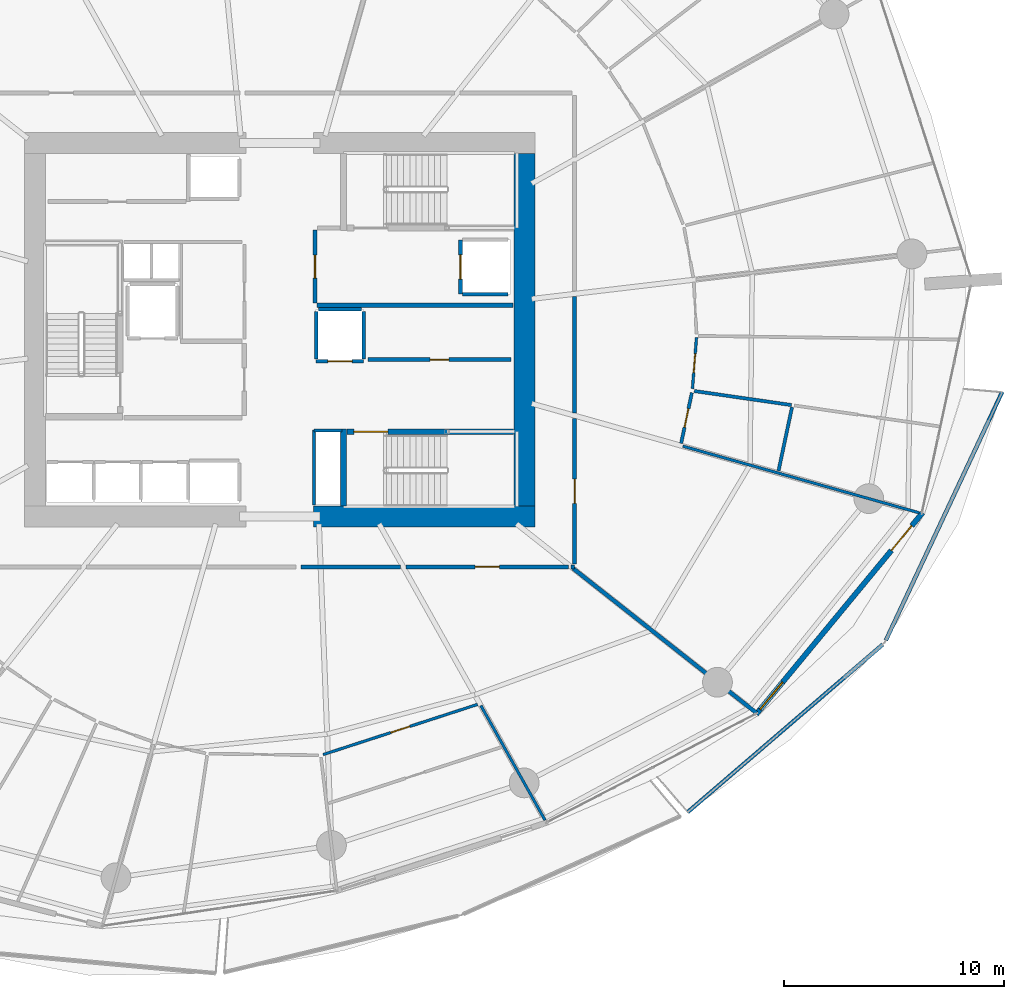
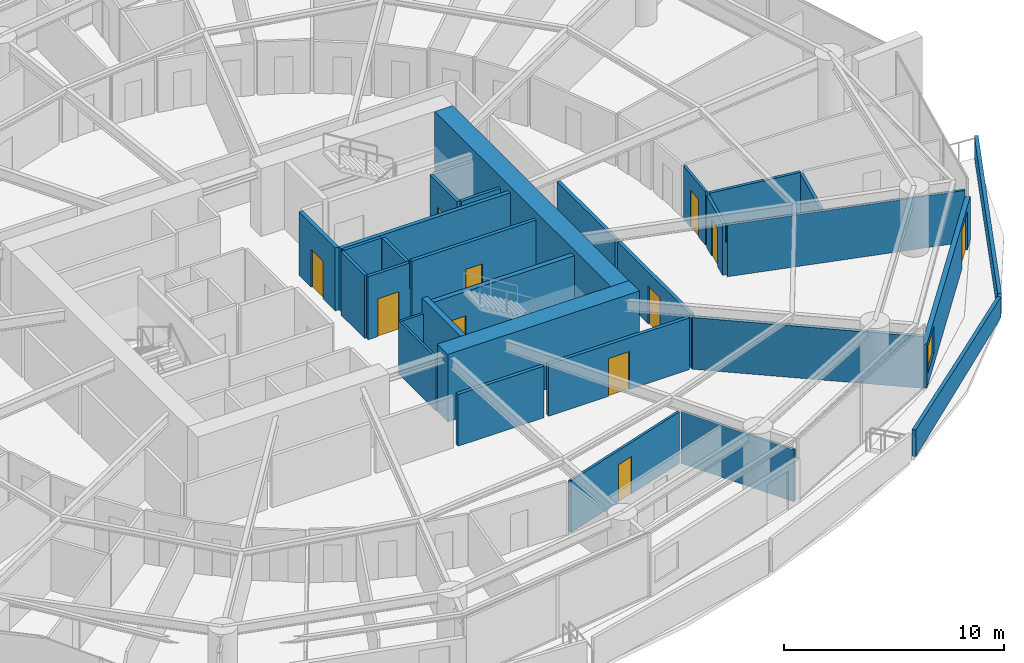
# One storey, part 21 of 31: 31 walls, 11 doors, 1 window, 12 openings.
"""IFC4 building model written with IfcOpenShell, lengths in metres."""

from ifc_helpers import new_model, si_unit, direction, frame, frame_2d, origin, place, context, subcontext, project, spatial, polyline, rectangle, outline, extrude, material, layer, layer_set, type_object, element, fill, save


model = new_model("IFC4")

# Units and contexts
model_context = context("Model", 3, precision=1e-05, world=origin(), true_north=direction((0.0, 1.0)))
body_context = subcontext(model_context, "Body", "Model", "MODEL_VIEW")
ifc_project = project(units=[si_unit("LENGTHUNIT", "METRE"), si_unit("AREAUNIT", "SQUARE_METRE"), si_unit("VOLUMEUNIT", "CUBIC_METRE"), si_unit("PLANEANGLEUNIT", "RADIAN"), si_unit("MASSUNIT", "GRAM", prefix="KILO")], contexts=[model_context])

# Site, building, storey
site_placement = place(None, origin())
site = spatial("IfcSite", under=ifc_project, at=site_placement, CompositionType="ELEMENT")
building_placement = place(site_placement, origin())
building = spatial("IfcBuilding", under=site, at=building_placement, Name="Kazma Halo Residences", CompositionType="ELEMENT")
storey_placement = place(building_placement, frame((0.0, 0.0, 45.14990234375)))
storey = spatial("IfcBuildingStorey", under=building, at=storey_placement, Name="L10", CompositionType="ELEMENT", Elevation=45.14990234375)

# Walls
ifc_material_1 = material(Name="White Concrete C50/60 Balustrade", Category="concrete")
ifc_layer_1 = layer(ifc_material_1, 0.179931640625)
ifc_layer_set_1 = layer_set([ifc_layer_1], Name="White Concrete C50/60 Balustrade")
wall_type_1 = type_object("IfcWallType", Name="WL-BAL-WAVE-180", PredefinedType="PARAPET", material=ifc_layer_set_1)
wall_1_placement = place(storey_placement, frame((66.92041015625, 20.118896484375, 0.0), z_axis=(0.0, 0.0, 1.0), x_axis=(0.758371329303, 0.651822772609, 0.0)))
element("IfcWall", 1, at=wall_1_placement, inside=storey, type_object=wall_type_1, Name="L10 white wave balustrade wall SE.1", PredefinedType="PARAPET", context=body_context, shape_type="SweptSolid", body=[
    extrude(outline(polyline([(0.0, 0.0), (11.669921875, 0.0), (11.669677734375, 1.148193359375), (5.8349609375, 1.2841796875), (0.0, 1.483154296875), (0.0, 0.0)])), frame((0.0, 0.08984375, 0.0), z_axis=(0.0, -1.0, 0.0), x_axis=(1.0, 0.0, 0.0)), (0.0, 0.0, 1.0), 0.179931640625),
])
wall_2_placement = place(storey_placement, frame((75.912353515625, 27.91259765625, 0.0), z_axis=(0.0, 0.0, 1.0), x_axis=(0.424187605295, 0.905574334615, 0.0)))
element("IfcWall", 2, at=wall_2_placement, inside=storey, type_object=wall_type_1, Name="L10 white wave balustrade wall SE.2", PredefinedType="PARAPET", context=body_context, shape_type="SweptSolid", body=[
    extrude(outline(polyline([(0.0, 0.0), (12.4462890625, 0.0), (12.4462890625, 1.22412109375), (6.22314453125, 1.127197265625), (0.0, 1.148193359375), (0.0, 0.0)])), frame((0.0, 0.08984375, 0.0), z_axis=(0.0, -1.0, 0.0), x_axis=(1.0, 0.0, 0.0)), (0.0, 0.0, 1.0), 0.179931640625),
])
ifc_material_2 = material(Name="Concrete C80/95", Category="concrete")
ifc_layer_2 = layer(ifc_material_2, 0.949951171875)
ifc_layer_set_2 = layer_set([ifc_layer_2], Name="Concrete C80/95")
wall_type_2 = type_object("IfcWallType", Name="WL-CORE-950", PredefinedType="SHEAR", material=ifc_layer_set_2)
wall_3_placement = place(storey_placement, frame((49.949951171875, 33.52490234375, 0.0), z_axis=(0.0, 0.0, 1.0), x_axis=(1.0, 0.0, 0.0)))
element("IfcWall", 3, at=wall_3_placement, inside=storey, type_object=wall_type_2, Name="L10 central core shear wall SE", PredefinedType="SHEAR", context=body_context, shape_type="SweptSolid", body=[
    extrude(rectangle(XDim=10.050048828125, YDim=0.949951171875, at=frame_2d((5.02490234375, 0.0))), origin(), (0.0, 0.0, 1.0), 3.75),
])
wall_4_placement = place(storey_placement, frame((59.52490234375, 34.0, 0.0), z_axis=(0.0, 0.0, 1.0), x_axis=(0.0, 1.0, 0.0)))
element("IfcWall", 4, at=wall_4_placement, inside=storey, type_object=wall_type_2, Name="L10 central core shear wall E", PredefinedType="SHEAR", context=body_context, shape_type="SweptSolid", body=[
    extrude(rectangle(XDim=16.0, YDim=0.949951171875, at=frame_2d((8.0, 0.0))), origin(), (0.0, 0.0, 1.0), 3.75),
])
ifc_material_3 = material(Name="Concrete C60/75", Category="concrete")
ifc_layer_3 = layer(ifc_material_3, 0.280029296875)
ifc_layer_set_3 = layer_set([ifc_layer_3], Name="Concrete C60/75")
wall_type_3 = type_object("IfcWallType", Name="WL-CORE-ST-280", PredefinedType="SHEAR", material=ifc_layer_set_3)
wall_5_placement = place(storey_placement, frame((51.31005859375, 34.0, 0.0), z_axis=(0.0, 0.0, 1.0), x_axis=(0.0, 1.0, 0.0)))
element("IfcWall", 5, at=wall_5_placement, inside=storey, type_object=wall_type_3, Name="L10 stairwell bearing wall ST03-W", PredefinedType="SHEAR", context=body_context, shape_type="SweptSolid", body=[
    extrude(rectangle(XDim=3.5, YDim=0.280029296875, at=frame_2d((1.75, 0.0))), origin(), (0.0, 0.0, 1.0), 3.75),
])
ifc_material_4 = material(Name="Acoustic Twin-Stud Gypsum")
ifc_layer_4 = layer(ifc_material_4, 0.179931640625)
ifc_layer_set_4 = layer_set([ifc_layer_4], Name="Acoustic Twin-Stud Gypsum")
wall_type_4 = type_object("IfcWallType", Name="WL-DEM-180", PredefinedType="PARTITIONING", material=ifc_layer_set_4)
wall_6_placement = place(storey_placement, frame((61.72265625, 31.181884765625, 0.0), z_axis=(0.0, 0.0, 1.0), x_axis=(0.785321288316, -0.619088421889, 0.0)))
element("IfcWall", 6, at=wall_6_placement, inside=storey, type_object=wall_type_4, Name="L10 apartment demising radial wall 13", PredefinedType="PARTITIONING", context=body_context, shape_type="SweptSolid", body=[
    extrude(rectangle(XDim=10.597900390625, YDim=0.179931640625, at=frame_2d((5.298828125, 0.0))), origin(), (0.0, 0.0, 1.0), 2.8671875),
])

# Wall, opening, door
wall_7_placement = place(storey_placement, frame((54.140380859375, 31.25, 0.0), z_axis=(0.0, 0.0, 1.0), x_axis=(1.0, 0.0, 0.0)))
wall_7 = element("IfcWall", 7, at=wall_7_placement, inside=storey, type_object=wall_type_4, Name="L10 Apartment 2 entrance corridor wall", PredefinedType="PARTITIONING", context=body_context, shape_type="SweptSolid", body=[
    extrude(rectangle(XDim=7.3759765625, YDim=0.179931640625, at=frame_2d((3.68798828125, 0.0))), origin(), (0.0, 0.0, 1.0), 2.8671875),
])
opening_1_placement = place(wall_7_placement, frame((3.137939453125, 0.0, 0.0)))
opening_1 = element("IfcOpeningElement", 8, at=opening_1_placement, cuts=wall_7, Name="Opening DA-1100", PredefinedType="OPENING", context=body_context, shape_type="SweptSolid", body=[
    extrude(rectangle(XDim=1.10009765625, YDim=2.10009765625, at=frame_2d((0.550048828125, 1.050048828125))), frame((0.0, 0.099853515625, 0.0), z_axis=(0.0, -1.0, 0.0), x_axis=(1.0, 0.0, 0.0)), (0.0, 0.0, 1.0), 0.199951171875),
])
ifc_material_5 = material(Name="Acoustic Walnut Fire Leaf")
door_type_1 = type_object("IfcDoorType", Name="DR-FD60-1100", OperationType="NOTDEFINED", PredefinedType="DOOR", material=ifc_material_5)
door_1_placement = place(opening_1_placement, origin())
door_1 = element("IfcDoor", 9, at=door_1_placement, inside=storey, type_object=door_type_1, Name="L10 Apartment 2 entrance fire door", OperationType="SINGLE_SWING_LEFT", OverallHeight=2.10009765625, OverallWidth=1.10009765625, PredefinedType="DOOR", context=body_context, shape_type="SweptSolid", body=[
    extrude(rectangle(XDim=1.10009765625, YDim=2.10009765625, at=frame_2d((0.550048828125, 1.050048828125))), frame((0.0, 0.02490234375, 0.0), z_axis=(0.0, -1.0, 0.0), x_axis=(1.0, 0.0, 0.0)), (0.0, 0.0, 1.0), 0.050048828125),
])
fill(opening_1, door_1)

# Walls
wall_8_placement = place(storey_placement, frame((49.392333984375, 31.25, 0.0), z_axis=(0.0, 0.0, 1.0), x_axis=(1.0, 0.0, 0.0)))
element("IfcWall", 10, at=wall_8_placement, inside=storey, type_object=wall_type_4, Name="L10 Apartment 2 inner wall 11", PredefinedType="PARTITIONING", context=body_context, shape_type="SweptSolid", body=[
    extrude(rectangle(XDim=4.508056640625, YDim=0.179931640625, at=frame_2d((2.25390625, 0.0))), origin(), (0.0, 0.0, 1.0), 2.8671875),
])
wall_9_placement = place(storey_placement, frame((61.63623046875, 31.25, 0.0), z_axis=(0.0, 0.0, 1.0), x_axis=(1.0, 0.0, 0.0)))
element("IfcWall", 11, at=wall_9_placement, inside=storey, type_object=wall_type_4, Name="L10 Apartment 3 entrance corridor wall", PredefinedType="PARTITIONING", context=body_context, shape_type="SweptSolid", body=[
    extrude(rectangle(XDim=0.163818359375, YDim=0.179931640625, at=frame_2d((0.08203125, 0.0))), origin(), (0.0, 0.0, 1.0), 2.8671875),
])

# Wall, opening, door
wall_10_placement = place(storey_placement, frame((61.800048828125, 31.3701171875, 0.0), z_axis=(0.0, 0.0, 1.0), x_axis=(0.0, 1.0, 0.0)))
wall_10 = element("IfcWall", 12, at=wall_10_placement, inside=storey, type_object=wall_type_4, Name="L10 Apartment 3 entrance corridor wall", PredefinedType="PARTITIONING", context=body_context, shape_type="SweptSolid", body=[
    extrude(rectangle(XDim=6.617919921875, YDim=0.179931640625, at=frame_2d((3.30908203125, 0.0))), origin(), (0.0, 0.0, 1.0), 2.8671875),
])
opening_2_placement = place(wall_10_placement, frame((2.759033203125, 0.0, 0.0)))
opening_2 = element("IfcOpeningElement", 13, at=opening_2_placement, cuts=wall_10, Name="Opening DA-1100", PredefinedType="OPENING", context=body_context, shape_type="SweptSolid", body=[
    extrude(rectangle(XDim=1.10009765625, YDim=2.10009765625, at=frame_2d((0.550048828125, 1.050048828125))), frame((0.0, 0.099853515625, 0.0), z_axis=(0.0, -1.0, 0.0), x_axis=(1.0, 0.0, 0.0)), (0.0, 0.0, 1.0), 0.199951171875),
])
door_2_placement = place(opening_2_placement, origin())
door_2 = element("IfcDoor", 14, at=door_2_placement, inside=storey, type_object=door_type_1, Name="L10 Apartment 3 entrance fire door", OperationType="SINGLE_SWING_RIGHT", OverallHeight=2.10009765625, OverallWidth=1.10009765625, PredefinedType="DOOR", context=body_context, shape_type="SweptSolid", body=[
    extrude(rectangle(XDim=1.10009765625, YDim=2.10009765625, at=frame_2d((0.550048828125, 1.050048828125))), frame((0.0, 0.02490234375, 0.0), z_axis=(0.0, -1.0, 0.0), x_axis=(1.0, 0.0, 0.0)), (0.0, 0.0, 1.0), 0.050048828125),
])
fill(opening_2, door_2)

# Wall
wall_11_placement = place(storey_placement, frame((61.800048828125, 38.22802734375, 0.0), z_axis=(0.0, 0.0, 1.0), x_axis=(0.0, 1.0, 0.0)))
element("IfcWall", 15, at=wall_11_placement, inside=storey, type_object=wall_type_4, Name="L10 Apartment 3 inner wall 14", PredefinedType="PARTITIONING", context=body_context, shape_type="SweptSolid", body=[
    extrude(rectangle(XDim=5.28515625, YDim=0.179931640625, at=frame_2d((2.642578125, 0.0))), origin(), (0.0, 0.0, 1.0), 2.8671875),
])

# Wall, openings, door, window
ifc_material_6 = material(Name="Insulated Pale-Metal Composite Wall")
ifc_layer_5 = layer(ifc_material_6, 0.239990234375)
ifc_layer_set_5 = layer_set([ifc_layer_5], Name="Insulated Pale-Metal Composite Wall")
wall_type_5 = type_object("IfcWallType", Name="WL-EXT-HOST-240", PredefinedType="SOLIDWALL", material=ifc_layer_set_5)
wall_12_placement = place(storey_placement, frame((70.033203125, 24.566650390625, 0.0), z_axis=(0.0, 0.0, 1.0), x_axis=(0.636674332663, 0.771132799281, 0.0)))
wall_12 = element("IfcWall", 16, at=wall_12_placement, inside=storey, type_object=wall_type_5, Name="L10 exterior terrace-access wall B14", PredefinedType="SOLIDWALL", context=body_context, shape_type="SweptSolid", body=[
    extrude(rectangle(XDim=11.851318359375, YDim=0.239990234375, at=frame_2d((5.92578125, 0.0))), origin(), (0.0, 0.0, 1.0), 2.4501953125),
])
opening_3_placement = place(wall_12_placement, frame((9.631103515625, 0.0, 0.0)))
opening_3 = element("IfcOpeningElement", 17, at=opening_3_placement, cuts=wall_12, Name="Opening DTR-1600", PredefinedType="OPENING", context=body_context, shape_type="SweptSolid", body=[
    extrude(rectangle(XDim=1.449951171875, YDim=2.14990234375, at=frame_2d((0.72509765625, 1.074951171875))), frame((0.0, 0.1298828125, 0.0), z_axis=(0.0, -1.0, 0.0), x_axis=(1.0, 0.0, 0.0)), (0.0, 0.0, 1.0), 0.260009765625),
])
opening_4_placement = place(wall_12_placement, frame((0.280029296875, 0.0, 0.64990234375)))
opening_4 = element("IfcOpeningElement", 18, at=opening_4_placement, cuts=wall_12, Name="Opening W-1800", PredefinedType="OPENING", context=body_context, shape_type="SweptSolid", body=[
    extrude(rectangle(XDim=1.60009765625, YDim=1.5, at=frame_2d((0.800048828125, 0.75))), frame((0.0, 0.1298828125, 0.0), z_axis=(0.0, -1.0, 0.0), x_axis=(1.0, 0.0, 0.0)), (0.0, 0.0, 1.0), 0.260009765625),
])
ifc_material_7 = material(Name="Aluminium AW-6063 T6 Double-Glazed Terrace Door", Category="aluminium")
door_type_2 = type_object("IfcDoorType", Name="DR-EXT-TERR-1600", OperationType="NOTDEFINED", PredefinedType="DOOR", material=ifc_material_7)
door_3_placement = place(opening_3_placement, origin())
door_3 = element("IfcDoor", 19, at=door_3_placement, inside=storey, type_object=door_type_2, Name="L10 B14 balcony terrace door", OperationType="DOUBLE_DOOR_SLIDING", OverallHeight=2.14990234375, OverallWidth=1.449951171875, PredefinedType="DOOR", context=body_context, shape_type="SweptSolid", body=[
    extrude(rectangle(XDim=1.449951171875, YDim=2.14990234375, at=frame_2d((0.72509765625, 1.074951171875))), frame((0.0, 0.02490234375, 0.0), z_axis=(0.0, -1.0, 0.0), x_axis=(1.0, 0.0, 0.0)), (0.0, 0.0, 1.0), 0.050048828125),
])
fill(opening_3, door_3)
ifc_material_8 = material(Name="Clear Triple-Silver Low-E Glass in Aluminium AW-6063 T6 Frame", Category="aluminium")
window_type = type_object("IfcWindowType", Name="WIN-RES-1800", PartitioningType="DOUBLE_PANEL_VERTICAL", PredefinedType="WINDOW", material=ifc_material_8)
window_placement = place(opening_4_placement, origin())
window = element("IfcWindow", 20, at=window_placement, inside=storey, type_object=window_type, Name="L10 B14 apartment window", OverallHeight=1.5, OverallWidth=1.60009765625, PartitioningType="SINGLE_PANEL", PredefinedType="WINDOW", context=body_context, shape_type="SweptSolid", body=[
    extrude(rectangle(XDim=1.60009765625, YDim=1.5, at=frame_2d((0.800048828125, 0.75))), frame((0.0, 0.030029296875, 0.0), z_axis=(0.0, -1.0, 0.0), x_axis=(1.0, 0.0, 0.0)), (0.0, 0.0, 1.0), 0.06005859375),
])
fill(opening_4, window)

# Wall, opening, door
ifc_material_9 = material(Name="Fire-Rated Blockwork Masonry", Category="masonry")
ifc_layer_6 = layer(ifc_material_9, 0.199951171875)
ifc_layer_set_6 = layer_set([ifc_layer_6], Name="Fire-Rated Blockwork Masonry")
wall_type_6 = type_object("IfcWallType", Name="WL-FLB-200", PredefinedType="PARTITIONING", material=ifc_layer_set_6)
wall_13_placement = place(storey_placement, frame((56.6201171875, 46.080078125, 0.0), z_axis=(0.0, 0.0, 1.0), x_axis=(0.0, -1.0, 0.0)))
wall_13 = element("IfcWall", 21, at=wall_13_placement, inside=storey, type_object=wall_type_6, Name="L10 lift shaft FL-02 front wall", PredefinedType="PARTITIONING", context=body_context, shape_type="SweptSolid", body=[
    extrude(rectangle(XDim=2.4599609375, YDim=0.159912109375, at=frame_2d((1.22998046875, 0.0))), origin(), (0.0, 0.0, 1.0), 3.5),
])
opening_5_placement = place(wall_13_placement, frame((0.679931640625, 0.0, 0.0)))
opening_5 = element("IfcOpeningElement", 22, at=opening_5_placement, cuts=wall_13, Name="Opening LD-FL-02", PredefinedType="OPENING", context=body_context, shape_type="SweptSolid", body=[
    extrude(rectangle(XDim=1.10009765625, YDim=2.10009765625, at=frame_2d((0.550048828125, 1.050048828125))), frame((0.0, 0.08984375, 0.0), z_axis=(0.0, -1.0, 0.0), x_axis=(1.0, 0.0, 0.0)), (0.0, 0.0, 1.0), 0.179931640625),
])
ifc_material_10 = material(Name="Stainless Steel Fire-Rated", Category="steel")
door_type_3 = type_object("IfcDoorType", Name="DR-LIFT-SLD-1100", OperationType="DOUBLE_DOOR_SLIDING", PredefinedType="DOOR", material=ifc_material_10)
door_4_placement = place(opening_5_placement, origin())
door_4 = element("IfcDoor", 23, at=door_4_placement, inside=storey, type_object=door_type_3, Name="L10 lift FL-02 sliding landing door", OperationType="DOUBLE_DOOR_SLIDING", OverallHeight=2.10009765625, OverallWidth=1.10009765625, PredefinedType="DOOR", context=body_context, shape_type="SweptSolid", body=[
    extrude(rectangle(XDim=1.10009765625, YDim=2.10009765625, at=frame_2d((0.550048828125, 1.050048828125))), frame((0.0, 0.02490234375, 0.0), z_axis=(0.0, -1.0, 0.0), x_axis=(1.0, 0.0, 0.0)), (0.0, 0.0, 1.0), 0.050048828125),
])
fill(opening_5, door_4)

# Wall
wall_14_placement = place(storey_placement, frame((56.719970703125, 43.6201171875, 0.0), z_axis=(0.0, 0.0, 1.0), x_axis=(1.0, 0.0, 0.0)))
element("IfcWall", 24, at=wall_14_placement, inside=storey, type_object=wall_type_6, Name="L10 lift shaft FL-02 side wall S", PredefinedType="PARTITIONING", context=body_context, shape_type="SweptSolid", body=[
    extrude(rectangle(XDim=2.06005859375, YDim=0.159912109375, at=frame_2d((1.030029296875, 0.0))), origin(), (0.0, 0.0, 1.0), 3.5),
])

# Wall, opening, door
wall_15_placement = place(storey_placement, frame((52.22998046875, 40.570068359375, 0.0), z_axis=(0.0, 0.0, 1.0), x_axis=(-1.0, 0.0, 0.0)))
wall_15 = element("IfcWall", 25, at=wall_15_placement, inside=storey, type_object=wall_type_6, Name="L10 lift shaft SV-01 front wall", PredefinedType="PARTITIONING", context=body_context, shape_type="SweptSolid", body=[
    extrude(rectangle(XDim=2.159912109375, YDim=0.159912109375, at=frame_2d((1.080078125, 0.0))), origin(), (0.0, 0.0, 1.0), 3.5),
])
opening_6_placement = place(wall_15_placement, frame((0.530029296875, 0.0, 0.0)))
opening_6 = element("IfcOpeningElement", 26, at=opening_6_placement, cuts=wall_15, Name="Opening LD-SV-01", PredefinedType="OPENING", context=body_context, shape_type="SweptSolid", body=[
    extrude(rectangle(XDim=1.10009765625, YDim=2.10009765625, at=frame_2d((0.550048828125, 1.050048828125))), frame((0.0, 0.08984375, 0.0), z_axis=(0.0, -1.0, 0.0), x_axis=(1.0, 0.0, 0.0)), (0.0, 0.0, 1.0), 0.179931640625),
])
door_5_placement = place(opening_6_placement, origin())
door_5 = element("IfcDoor", 27, at=door_5_placement, inside=storey, type_object=door_type_3, Name="L10 lift SV-01 sliding landing door", OperationType="DOUBLE_DOOR_SLIDING", OverallHeight=2.10009765625, OverallWidth=1.10009765625, PredefinedType="DOOR", context=body_context, shape_type="SweptSolid", body=[
    extrude(rectangle(XDim=1.10009765625, YDim=2.10009765625, at=frame_2d((0.550048828125, 1.050048828125))), frame((0.0, 0.02490234375, 0.0), z_axis=(0.0, -1.0, 0.0), x_axis=(1.0, 0.0, 0.0)), (0.0, 0.0, 1.0), 0.050048828125),
])
fill(opening_6, door_5)

# Walls
for number, where, z_axis, x_axis, name in (
    (28, (52.22998046875, 40.669921875, 0.0), (0.0, 0.0, 1.0), (0.0, 1.0, 0.0), "L10 lift shaft SV-01 side wall E"),
    (29, (50.070068359375, 40.669921875, 0.0), (0.0, 0.0, 1.0), (0.0, 1.0, 0.0), "L10 lift shaft SV-01 side wall W"),
):
    element("IfcWall", number, at=place(storey_placement, frame(where, z_axis=z_axis, x_axis=x_axis)), inside=storey, type_object=wall_type_6, Name=name, PredefinedType="PARTITIONING", context=body_context, shape_type="SweptSolid", body=[
        extrude(rectangle(XDim=2.16015625, YDim=0.159912109375, at=frame_2d((1.080078125, 0.0))), origin(), (0.0, 0.0, 1.0), 3.5),
    ])
wall_16_placement = place(storey_placement, frame((50.169921875, 42.929931640625, 0.0), z_axis=(0.0, 0.0, 1.0), x_axis=(1.0, 0.0, 0.0)))
element("IfcWall", 30, at=wall_16_placement, inside=storey, type_object=wall_type_6, Name="L10 lift shaft SV-01 side wall N", PredefinedType="PARTITIONING", context=body_context, shape_type="SweptSolid", body=[
    extrude(rectangle(XDim=1.9599609375, YDim=0.159912109375, at=frame_2d((0.97998046875, 0.0))), origin(), (0.0, 0.0, 1.0), 3.5),
])

# Wall, opening, door
wall_17_placement = place(storey_placement, frame((52.419921875, 40.64990234375, 0.0), z_axis=(0.0, 0.0, 1.0), x_axis=(1.0, 0.0, 0.0)))
wall_17 = element("IfcWall", 31, at=wall_17_placement, inside=storey, type_object=wall_type_6, Name="L10 core east reserve wall", PredefinedType="PARTITIONING", context=body_context, shape_type="SweptSolid", body=[
    extrude(rectangle(XDim=6.5, YDim=0.179931640625, at=frame_2d((3.25, 0.0))), origin(), (0.0, 0.0, 1.0), 3.5),
])
opening_7_placement = place(wall_17_placement, frame((2.824951171875, 0.0, 0.0)))
opening_7 = element("IfcOpeningElement", 32, at=opening_7_placement, cuts=wall_17, Name="Opening DS-850", PredefinedType="OPENING", context=body_context, shape_type="SweptSolid", body=[
    extrude(rectangle(XDim=0.85009765625, YDim=2.06005859375, at=frame_2d((0.425048828125, 1.030029296875))), frame((0.0, 0.099853515625, 0.0), z_axis=(0.0, -1.0, 0.0), x_axis=(1.0, 0.0, 0.0)), (0.0, 0.0, 1.0), 0.199951171875),
])
ifc_material_11 = material(Name="Painted Steel Access Leaf", Category="steel")
door_type_4 = type_object("IfcDoorType", Name="DR-SVC-850", OperationType="NOTDEFINED", PredefinedType="DOOR", material=ifc_material_11)
door_6_placement = place(opening_7_placement, origin())
door_6 = element("IfcDoor", 33, at=door_6_placement, inside=storey, type_object=door_type_4, Name="L10 core east reserve door", OperationType="SINGLE_SWING_LEFT", OverallHeight=2.06005859375, OverallWidth=0.85009765625, PredefinedType="DOOR", context=body_context, shape_type="SweptSolid", body=[
    extrude(rectangle(XDim=0.85009765625, YDim=2.06005859375, at=frame_2d((0.425048828125, 1.030029296875))), frame((0.0, 0.02490234375, 0.0), z_axis=(0.0, -1.0, 0.0), x_axis=(1.0, 0.0, 0.0)), (0.0, 0.0, 1.0), 0.050048828125),
])
fill(opening_7, door_6)

# Wall
wall_18_placement = place(storey_placement, frame((50.1201171875, 43.1201171875, 0.0), z_axis=(0.0, 0.0, 1.0), x_axis=(1.0, 0.0, 0.0)))
element("IfcWall", 34, at=wall_18_placement, inside=storey, type_object=wall_type_6, Name="L10 east firefighting lobby south smoke wall", PredefinedType="PARTITIONING", context=body_context, shape_type="SweptSolid", body=[
    extrude(rectangle(XDim=8.8798828125, YDim=0.199951171875, at=frame_2d((4.43994140625, 0.0))), origin(), (0.0, 0.0, 1.0), 3.5),
])

# Wall, opening, door
wall_19_placement = place(storey_placement, frame((50.02001953125, 43.219970703125, 0.0), z_axis=(0.0, 0.0, 1.0), x_axis=(0.0, 1.0, 0.0)))
wall_19 = element("IfcWall", 35, at=wall_19_placement, inside=storey, type_object=wall_type_6, Name="L10 east firefighting lobby smoke wall", PredefinedType="PARTITIONING", context=body_context, shape_type="SweptSolid", body=[
    extrude(rectangle(XDim=3.300048828125, YDim=0.199951171875, at=frame_2d((1.64990234375, 0.0))), origin(), (0.0, 0.0, 1.0), 3.5),
])
opening_8_placement = place(wall_19_placement, frame((1.125, 0.0, 0.0)))
opening_8 = element("IfcOpeningElement", 36, at=opening_8_placement, cuts=wall_19, Name="Opening D-FLE", PredefinedType="OPENING", context=body_context, shape_type="SweptSolid", body=[
    extrude(rectangle(XDim=1.050048828125, YDim=2.10009765625, at=frame_2d((0.52490234375, 1.050048828125))), frame((0.0, 0.10986328125, 0.0), z_axis=(0.0, -1.0, 0.0), x_axis=(1.0, 0.0, 0.0)), (0.0, 0.0, 1.0), 0.219970703125),
])
ifc_material_12 = material(Name="Fire-Rated Steel Leaf", Category="steel")
door_type_5 = type_object("IfcDoorType", Name="DR-FD90-1050", OperationType="NOTDEFINED", PredefinedType="DOOR", material=ifc_material_12)
door_7_placement = place(opening_8_placement, origin())
door_7 = element("IfcDoor", 37, at=door_7_placement, inside=storey, type_object=door_type_5, Name="L10 east firefighting lobby smoke door", OperationType="SINGLE_SWING_RIGHT", OverallHeight=2.10009765625, OverallWidth=1.050048828125, PredefinedType="DOOR", context=body_context, shape_type="SweptSolid", body=[
    extrude(rectangle(XDim=1.050048828125, YDim=2.10009765625, at=frame_2d((0.52490234375, 1.050048828125))), frame((0.0, 0.02490234375, 0.0), z_axis=(0.0, -1.0, 0.0), x_axis=(1.0, 0.0, 0.0)), (0.0, 0.0, 1.0), 0.050048828125),
])
fill(opening_8, door_7)

# Walls
ifc_material_13 = material(Name="Gypsum Plasterboard Partition")
ifc_layer_7 = layer(ifc_material_13, 0.125)
ifc_layer_set_7 = layer_set([ifc_layer_7], Name="Gypsum Plasterboard Partition")
wall_type_7 = type_object("IfcWallType", Name="WL-PART-125", PredefinedType="PARTITIONING", material=ifc_layer_set_7)
wall_20_placement = place(storey_placement, frame((49.97998046875, 34.06005859375, 0.0), z_axis=(0.0, 0.0, 1.0), x_axis=(0.0, 1.0, 0.0)))
element("IfcWall", 38, at=wall_20_placement, inside=storey, type_object=wall_type_7, Name="L10 standpipe riser wall", PredefinedType="PARTITIONING", context=body_context, shape_type="SweptSolid", body=[
    extrude(rectangle(XDim=3.39990234375, YDim=0.125, at=frame_2d((1.699951171875, 0.0))), origin(), (0.0, 0.0, 1.0), 2.940185546875),
])
wall_21_placement = place(storey_placement, frame((49.97998046875, 37.43994140625, 0.0), z_axis=(0.0, 0.0, 1.0), x_axis=(1.0, 0.0, 0.0)))
element("IfcWall", 39, at=wall_21_placement, inside=storey, type_object=wall_type_7, Name="L10 standpipe riser north wall", PredefinedType="PARTITIONING", context=body_context, shape_type="SweptSolid", body=[
    extrude(rectangle(XDim=1.260009765625, YDim=0.125, at=frame_2d((0.6298828125, 0.0))), origin(), (0.0, 0.0, 1.0), 2.940185546875),
])
wall_22_placement = place(storey_placement, frame((57.544921875, 24.956787109375, 0.0), z_axis=(0.0, 0.0, 1.0), x_axis=(0.488592145891, -0.872512300758, 0.0)))
element("IfcWall", 40, at=wall_22_placement, inside=storey, type_object=wall_type_7, Name="L10 Apartment 2 living radial partition 11", PredefinedType="PARTITIONING", context=body_context, shape_type="SweptSolid", body=[
    extrude(rectangle(XDim=5.961669921875, YDim=0.125, at=frame_2d((2.98095703125, 0.0))), origin(), (0.0, 0.0, 1.0), 2.8671875),
])

# Wall, opening, door
wall_23_placement = place(storey_placement, frame((50.388916015625, 22.734619140625, 0.0), z_axis=(0.0, 0.0, 1.0), x_axis=(0.951050149939, 0.309036587317, 0.0)))
wall_23 = element("IfcWall", 41, at=wall_23_placement, inside=storey, type_object=wall_type_7, Name="L10 Apartment 2 Outer Study hall wall", PredefinedType="PARTITIONING", context=body_context, shape_type="SweptSolid", body=[
    extrude(rectangle(XDim=7.36279296875, YDim=0.125, at=frame_2d((3.681396484375, 0.0))), origin(), (0.0, 0.0, 1.0), 2.8671875),
])
opening_9_placement = place(wall_23_placement, frame((3.2314453125, 0.0, 0.0)))
opening_9 = element("IfcOpeningElement", 42, at=opening_9_placement, cuts=wall_23, Name="Opening DI-950", PredefinedType="OPENING", context=body_context, shape_type="SweptSolid", body=[
    extrude(rectangle(XDim=0.89990234375, YDim=2.080078125, at=frame_2d((0.449951171875, 1.0400390625))), frame((0.0, 0.072509765625, 0.0), z_axis=(0.0, -1.0, 0.0), x_axis=(1.0, 0.0, 0.0)), (0.0, 0.0, 1.0), 0.14501953125),
])
ifc_material_14 = material(Name="Timber Veneer Flush Leaf", Category="wood")
door_type_6 = type_object("IfcDoorType", Name="DR-INT-950", OperationType="NOTDEFINED", PredefinedType="DOOR", material=ifc_material_14)
door_8_placement = place(opening_9_placement, origin())
door_8 = element("IfcDoor", 43, at=door_8_placement, inside=storey, type_object=door_type_6, Name="L10 Apartment 2 Outer Study door", OperationType="SINGLE_SWING_RIGHT", OverallHeight=2.080078125, OverallWidth=0.89990234375, PredefinedType="DOOR", context=body_context, shape_type="SweptSolid", body=[
    extrude(rectangle(XDim=0.89990234375, YDim=2.080078125, at=frame_2d((0.449951171875, 1.0400390625))), frame((0.0, 0.02490234375, 0.0), z_axis=(0.0, -1.0, 0.0), x_axis=(1.0, 0.0, 0.0)), (0.0, 0.0, 1.0), 0.050048828125),
])
fill(opening_9, door_8)

# Wall
wall_24_placement = place(storey_placement, frame((66.703369140625, 36.72509765625, 0.0), z_axis=(0.0, 0.0, 1.0), x_axis=(0.962456868727, -0.271434662195, 0.0)))
element("IfcWall", 44, at=wall_24_placement, inside=storey, type_object=wall_type_7, Name="L10 Apartment 3 radial partition 14", PredefinedType="PARTITIONING", context=body_context, shape_type="SweptSolid", body=[
    extrude(rectangle(XDim=11.141357421875, YDim=0.125, at=frame_2d((5.57080078125, 0.0))), origin(), (0.0, 0.0, 1.0), 2.8671875),
])

# Wall, opening, door
wall_25_placement = place(storey_placement, frame((67.141845703125, 39.328125, 0.0), z_axis=(0.0, 0.0, 1.0), x_axis=(0.078573538032, 0.996908320319, 0.0)))
wall_25 = element("IfcWall", 45, at=wall_25_placement, inside=storey, type_object=wall_type_7, Name="L10 Apartment 3 Gourmet Kitchen hall wall", PredefinedType="PARTITIONING", context=body_context, shape_type="SweptSolid", body=[
    extrude(rectangle(XDim=2.3271484375, YDim=0.125, at=frame_2d((1.16357421875, 0.0))), origin(), (0.0, 0.0, 1.0), 2.940185546875),
])
opening_10_placement = place(wall_25_placement, frame((0.73876953125, 0.0, 0.0)))
opening_10 = element("IfcOpeningElement", 46, at=opening_10_placement, cuts=wall_25, Name="Opening DB-900", PredefinedType="OPENING", context=body_context, shape_type="SweptSolid", body=[
    extrude(rectangle(XDim=0.85009765625, YDim=2.06005859375, at=frame_2d((0.425048828125, 1.030029296875))), frame((0.0, 0.072509765625, 0.0), z_axis=(0.0, -1.0, 0.0), x_axis=(1.0, 0.0, 0.0)), (0.0, 0.0, 1.0), 0.14501953125),
])
ifc_material_15 = material(Name="Moisture-Sealed Timber Leaf", Category="wood")
door_type_7 = type_object("IfcDoorType", Name="DR-BTH-900", OperationType="NOTDEFINED", PredefinedType="DOOR", material=ifc_material_15)
door_9_placement = place(opening_10_placement, origin())
door_9 = element("IfcDoor", 47, at=door_9_placement, inside=storey, type_object=door_type_7, Name="L10 Apartment 3 Gourmet Kitchen door", OperationType="SINGLE_SWING_LEFT", OverallHeight=2.06005859375, OverallWidth=0.85009765625, PredefinedType="DOOR", context=body_context, shape_type="SweptSolid", body=[
    extrude(rectangle(XDim=0.85009765625, YDim=2.06005859375, at=frame_2d((0.425048828125, 1.030029296875))), frame((0.0, 0.02490234375, 0.0), z_axis=(0.0, -1.0, 0.0), x_axis=(1.0, 0.0, 0.0)), (0.0, 0.0, 1.0), 0.050048828125),
])
fill(opening_10, door_9)

ifc_material_16 = material(Name="Concrete C50/60", Category="concrete")
ifc_layer_8 = layer(ifc_material_16, 0.25)
ifc_layer_set_8 = layer_set([ifc_layer_8], Name="Concrete C50/60")
wall_type_8 = type_object("IfcWallType", Name="WL-SHF-250", PredefinedType="SOLIDWALL", material=ifc_layer_set_8)
wall_26_placement = place(storey_placement, frame((51.47998046875, 37.3798828125, 0.0), z_axis=(0.0, 0.0, 1.0), x_axis=(1.0, 0.0, 0.0)))
wall_26 = element("IfcWall", 48, at=wall_26_placement, inside=storey, type_object=wall_type_8, Name="L10 exit stair ST-03 enclosure wall", PredefinedType="SOLIDWALL", context=body_context, shape_type="SweptSolid", body=[
    extrude(rectangle(XDim=7.5400390625, YDim=0.25, at=frame_2d((3.77001953125, 0.0))), origin(), (0.0, 0.0, 1.0), 3.5),
])
opening_11_placement = place(wall_26_placement, frame((0.300048828125, 0.0, 0.0)))
opening_11 = element("IfcOpeningElement", 49, at=opening_11_placement, cuts=wall_26, Name="Opening D-ST3", PredefinedType="OPENING", context=body_context, shape_type="SweptSolid", body=[
    extrude(rectangle(XDim=1.550048828125, YDim=2.14990234375, at=frame_2d((0.77490234375, 1.074951171875))), frame((0.0, 0.135009765625, 0.0), z_axis=(0.0, -1.0, 0.0), x_axis=(1.0, 0.0, 0.0)), (0.0, 0.0, 1.0), 0.27001953125),
])
ifc_material_17 = material(Name="Fire-Rated Double Steel Leaf", Category="steel")
door_type_8 = type_object("IfcDoorType", Name="DR-FD90-1550", OperationType="NOTDEFINED", PredefinedType="DOOR", material=ifc_material_17)
door_10_placement = place(opening_11_placement, origin())
door_10 = element("IfcDoor", 50, at=door_10_placement, inside=storey, type_object=door_type_8, Name="L10 exit stair ST-03 fire door", OperationType="DOUBLE_DOOR_SINGLE_SWING", OverallHeight=2.14990234375, OverallWidth=1.550048828125, PredefinedType="DOOR", context=body_context, shape_type="SweptSolid", body=[
    extrude(rectangle(XDim=1.550048828125, YDim=2.14990234375, at=frame_2d((0.77490234375, 1.074951171875))), frame((0.0, 0.02490234375, 0.0), z_axis=(0.0, -1.0, 0.0), x_axis=(1.0, 0.0, 0.0)), (0.0, 0.0, 1.0), 0.050048828125),
])
fill(opening_11, door_10)

ifc_material_18 = material(Name="Moisture-Resistant Gypsum")
ifc_layer_9 = layer(ifc_material_18, 0.14990234375)
ifc_layer_set_9 = layer_set([ifc_layer_9], Name="Moisture-Resistant Gypsum")
wall_type_9 = type_object("IfcWallType", Name="WL-WET-150", PredefinedType="PARTITIONING", material=ifc_layer_set_9)
wall_27_placement = place(storey_placement, frame((66.6279296875, 36.85009765625, 0.0), z_axis=(0.0, 0.0, 1.0), x_axis=(0.207543347309, 0.978225822082, 0.0)))
wall_27 = element("IfcWall", 51, at=wall_27_placement, inside=storey, type_object=wall_type_9, Name="L10 Apartment 3 Guest Bathroom hall wall", PredefinedType="PARTITIONING", context=body_context, shape_type="SweptSolid", body=[
    extrude(rectangle(XDim=2.3515625, YDim=0.14990234375, at=frame_2d((1.17578125, 0.0))), origin(), (0.0, 0.0, 1.0), 2.8671875),
])
opening_12_placement = place(wall_27_placement, frame((0.750732421875, 0.0, 0.0)))
opening_12 = element("IfcOpeningElement", 52, at=opening_12_placement, cuts=wall_27, Name="Opening DB-900", PredefinedType="OPENING", context=body_context, shape_type="SweptSolid", body=[
    extrude(rectangle(XDim=0.85009765625, YDim=2.06005859375, at=frame_2d((0.425048828125, 1.030029296875))), frame((0.0, 0.0849609375, 0.0), z_axis=(0.0, -1.0, 0.0), x_axis=(1.0, 0.0, 0.0)), (0.0, 0.0, 1.0), 0.169921875),
])
door_11_placement = place(opening_12_placement, origin())
door_11 = element("IfcDoor", 53, at=door_11_placement, inside=storey, type_object=door_type_7, Name="L10 Apartment 3 Guest Bathroom door", OperationType="SINGLE_SWING_LEFT", OverallHeight=2.06005859375, OverallWidth=0.85009765625, PredefinedType="DOOR", context=body_context, shape_type="SweptSolid", body=[
    extrude(rectangle(XDim=0.85009765625, YDim=2.06005859375, at=frame_2d((0.425048828125, 1.030029296875))), frame((0.0, 0.02490234375, 0.0), z_axis=(0.0, -1.0, 0.0), x_axis=(1.0, 0.0, 0.0)), (0.0, 0.0, 1.0), 0.050048828125),
])
fill(opening_12, door_11)

# Walls
wall_28_placement = place(storey_placement, frame((71.045654296875, 35.60400390625, 0.0), z_axis=(0.0, 0.0, 1.0), x_axis=(0.207542541756, 0.97822599299, 0.0)))
element("IfcWall", 54, at=wall_28_placement, inside=storey, type_object=wall_type_9, Name="L10 Apartment 3 Guest Bathroom back wall", PredefinedType="PARTITIONING", context=body_context, shape_type="SweptSolid", body=[
    extrude(rectangle(XDim=2.955078125, YDim=0.14990234375, at=frame_2d((1.4775390625, 0.0))), origin(), (0.0, 0.0, 1.0), 2.8671875),
])
wall_29_placement = place(storey_placement, frame((67.223876953125, 39.2255859375, 0.0), z_axis=(0.0, 0.0, 1.0), x_axis=(0.989741519473, -0.142869607092, 0.0)))
element("IfcWall", 55, at=wall_29_placement, inside=storey, type_object=wall_type_9, Name="L10 Apartment 3 Guest Bathroom side wall", PredefinedType="PARTITIONING", context=body_context, shape_type="SweptSolid", body=[
    extrude(rectangle(XDim=4.4599609375, YDim=0.14990234375, at=frame_2d((2.22998046875, 0.0))), origin(), (0.0, 0.0, 1.0), 2.940185546875),
])

save(model, "model.ifc")
